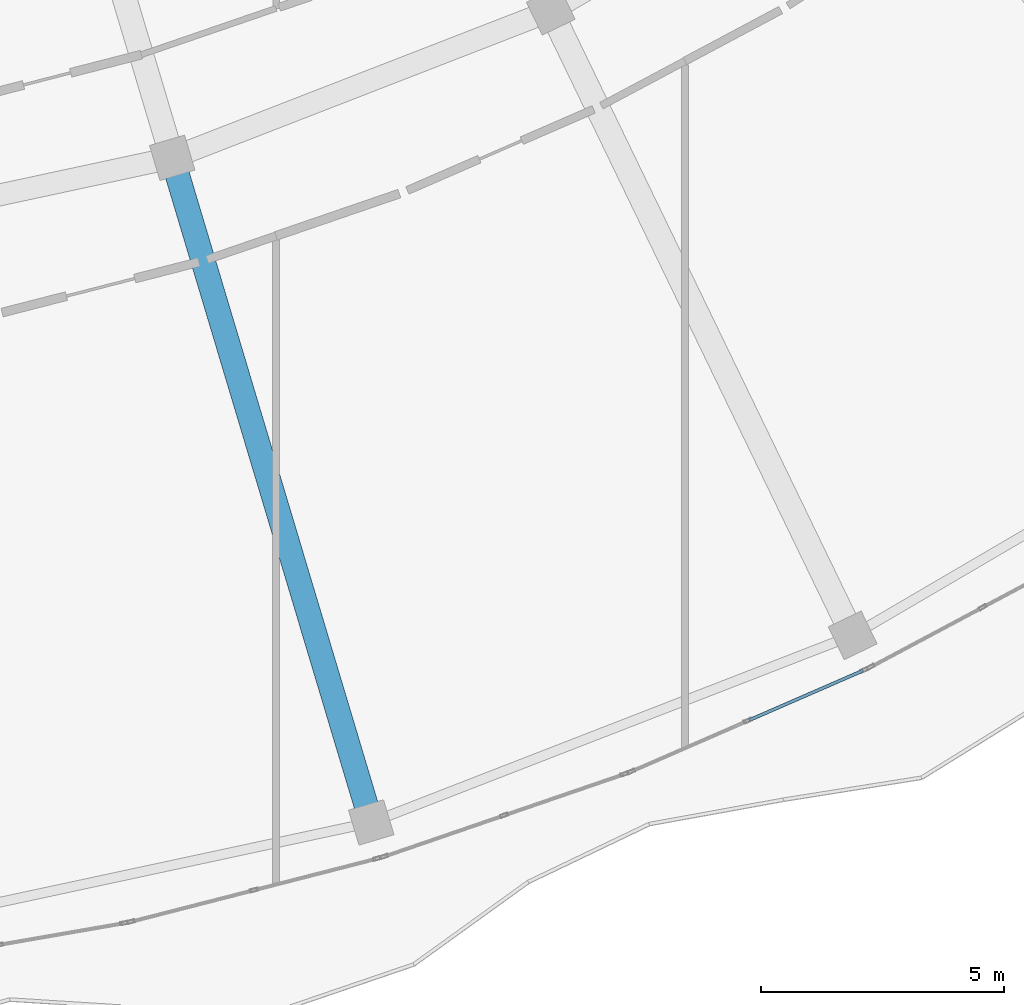
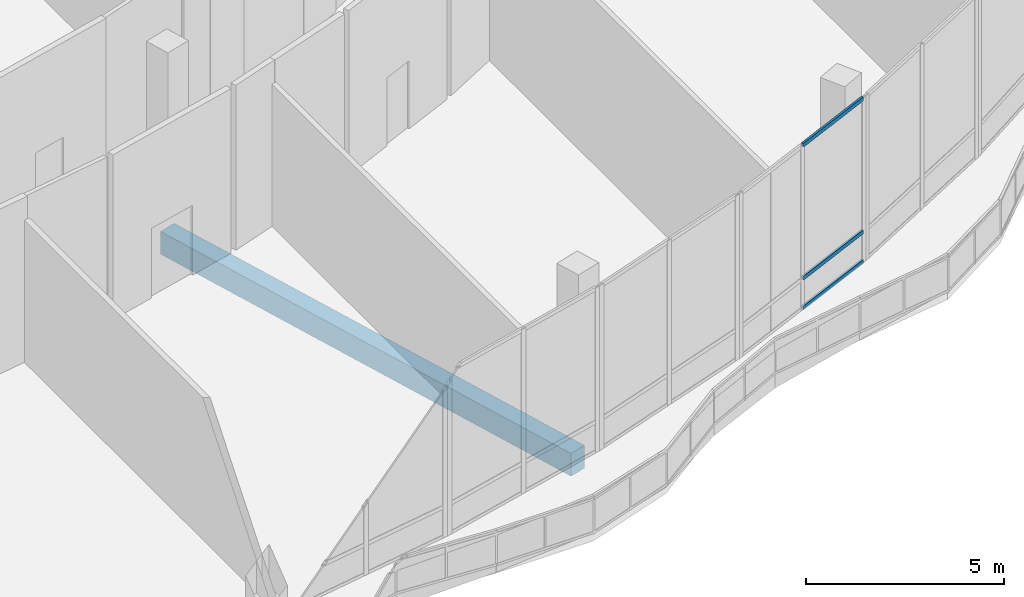
# One storey, part 44 of 158: 3 members, 1 beam, 1 element without a shape of its own.
"""IFC4 building model written with IfcOpenShell, lengths in metres."""

from ifc_helpers import new_model, si_unit, direction, frame, origin, origin_2d, place, context, subcontext, project, spatial, rectangle, hollow_rectangle, extrude, material, material_profile, profile_set, type_object, element, aggregate, save


model = new_model("IFC4")

# Units and contexts
model_context = context("Model", 3, precision=1e-05, world=origin(), true_north=direction((0.0, 1.0)))
body_context = subcontext(model_context, "Body", "Model", "MODEL_VIEW")
ifc_project = project(units=[si_unit("LENGTHUNIT", "METRE"), si_unit("AREAUNIT", "SQUARE_METRE"), si_unit("VOLUMEUNIT", "CUBIC_METRE"), si_unit("PLANEANGLEUNIT", "RADIAN"), si_unit("MASSUNIT", "GRAM", prefix="KILO")], contexts=[model_context])

# Site, building, storey
site_placement = place(None, origin())
site = spatial("IfcSite", under=ifc_project, at=site_placement, CompositionType="ELEMENT")
building_placement = place(site_placement, origin())
building = spatial("IfcBuilding", under=site, at=building_placement, Name="Selatvlak General Hospital", CompositionType="ELEMENT")
storey_placement = place(building_placement, origin())
storey = spatial("IfcBuildingStorey", under=building, at=storey_placement, Name="L00", CompositionType="ELEMENT", Elevation=0.0)

# Beam
ifc_material_1 = material(Name="Concrete C40/50", Category="concrete")
ifc_material_profile_1 = material_profile(ifc_material_1, rectangle(XDim=0.5, YDim=0.699951171875, at=origin_2d()), Name="RC-BM 500x700")
ifc_profile_set_1 = profile_set([ifc_material_profile_1], Name="Concrete C40/50")
beam_type = type_object("IfcBeamType", Name="BM-G03", PredefinedType="BEAM", material=ifc_profile_set_1)
beam_placement = place(storey_placement, frame((71.06689453125, 29.208984375, -0.699951171875), z_axis=(0.286865340788, -0.957970916184, 0.0), x_axis=(0.957970916184, 0.286865340788, 0.0)))
element("IfcBeam", 1, at=beam_placement, inside=storey, type_object=beam_type, Name="Beam BMR-L00-0346", PredefinedType="BEAM", context=body_context, shape_type="SweptSolid", body=[
    extrude(rectangle(XDim=0.5, YDim=0.699951171875, at=origin_2d()), origin(), (0.0, 0.0, 1.0), 14.2509765625),
])

# Curtain wall, members
ifc_material_2 = material(Name="Solar-control Low-E double glazing", Category="glass")
curtain_wall_type = type_object("IfcCurtainWallType", Name="CW-CW-01", PredefinedType="USERDEFINED", material=ifc_material_2)
curtain_wall_placement = place(storey_placement, origin())
curtain_wall = element("IfcCurtainWall", 2, at=curtain_wall_placement, inside=storey, type_object=curtain_wall_type, Name="Glazed facade curtain wall CW-L00-0049", ObjectType="UNITISED CURTAIN WALL", PredefinedType="USERDEFINED")
ifc_material_3 = material(Name="Dark anodised aluminium mullion", Category="aluminium")
ifc_material_profile_2 = material_profile(ifc_material_3, hollow_rectangle(XDim=0.06494140625, YDim=0.1201171875, WallThickness=0.00390625, at=origin_2d()), Name="AL-TRN 65x120x4")
ifc_profile_set_2 = profile_set([ifc_material_profile_2], Name="Dark anodised aluminium mullion")
member_type = type_object("IfcMemberType", Name="CWT-01", PredefinedType="USERDEFINED", material=ifc_profile_set_2)
member_1_placement = place(storey_placement, frame((85.25146484375, 18.674072265625, 0.032470703125), z_axis=(-0.916783283097, -0.399385042077, 0.0), x_axis=(0.399385042077, -0.916783283097, 0.0)))
member_1 = element("IfcMember", 3, at=member_1_placement, type_object=member_type, Name="CW-01 transom 1.1", ObjectType="TRANSOM", PredefinedType="USERDEFINED", context=body_context, shape_type="SweptSolid", body=[
    extrude(hollow_rectangle(XDim=0.06494140625, YDim=0.1201171875, WallThickness=0.00390625, at=origin_2d()), origin(), (0.0, 0.0, 1.0), 2.546630859375),
])
member_2_placement = place(storey_placement, frame((85.25146484375, 18.674072265625, 0.949951171875), z_axis=(-0.916783283097, -0.399385042077, 0.0), x_axis=(0.399385042077, -0.916783283097, 0.0)))
member_2 = element("IfcMember", 4, at=member_2_placement, type_object=member_type, Name="CW-01 transom 1.2", ObjectType="TRANSOM", PredefinedType="USERDEFINED", context=body_context, shape_type="SweptSolid", body=[
    extrude(hollow_rectangle(XDim=0.06494140625, YDim=0.1201171875, WallThickness=0.00390625, at=origin_2d()), origin(), (0.0, 0.0, 1.0), 2.546630859375),
])
member_3_placement = place(storey_placement, frame((85.25146484375, 18.674072265625, 5.047607421875), z_axis=(-0.916783283097, -0.399385042077, 0.0), x_axis=(0.399385042077, -0.916783283097, 0.0)))
member_3 = element("IfcMember", 5, at=member_3_placement, type_object=member_type, Name="CW-01 transom 1.3", ObjectType="TRANSOM", PredefinedType="USERDEFINED", context=body_context, shape_type="SweptSolid", body=[
    extrude(hollow_rectangle(XDim=0.06494140625, YDim=0.1201171875, WallThickness=0.00390625, at=origin_2d()), origin(), (0.0, 0.0, 1.0), 2.546630859375),
])
aggregate(curtain_wall, [member_1, member_2, member_3])

save(model, "model.ifc")
